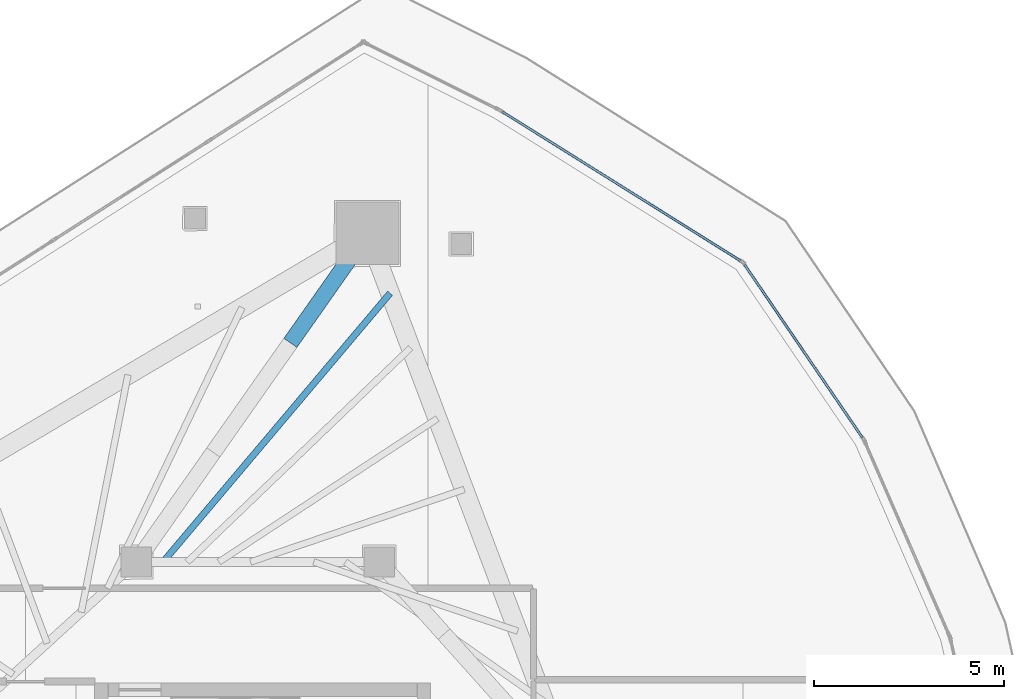
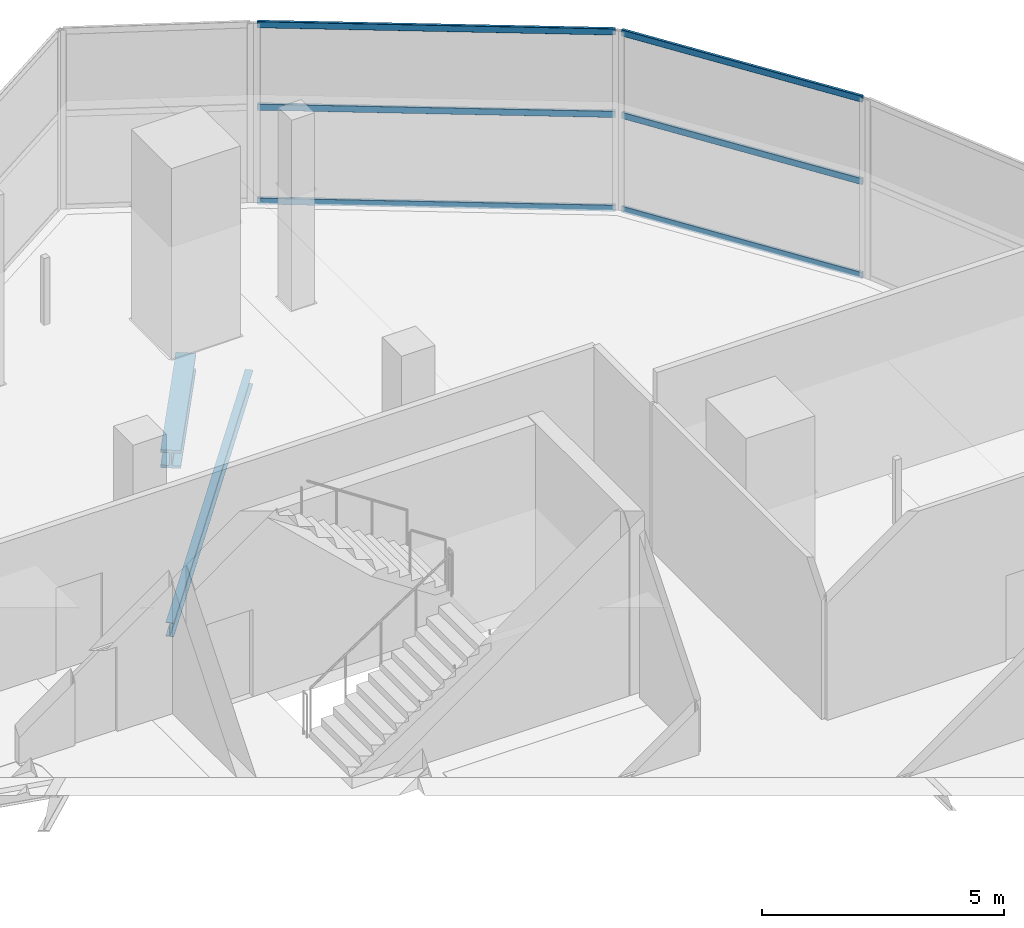
# One storey, part 21 of 36: 7 members, 1 beam, 2 elements without a shape of their own.
"""IFC4 building model written with IfcOpenShell, lengths in metres."""

import ifcopenshell
import ifcopenshell.guid

model = None  # the IFC model being written
_history = None  # IfcOwnerHistory: only IFC2X3 demands one
_inside = {}  # id of a spatial element -> (the spatial element, [elements in it])
_under = {}  # id of a project, library or spatial element -> (it, [spatial elements below it])
_declared = {}  # id of a project -> (the project, [libraries it declares])
_typed = {}  # id of a type object -> (the type object, [elements of that type])
_made_of = {}  # id of a material, layer set ... -> (it, [elements and type objects made of it])


def new_model(schema):
    """Start an empty IFC model of exactly this schema.

    Asked for "IFC4X3", IfcOpenShell would pick the latest addendum, in which some entities
    have other attributes; the version numbers below select the first issue.
    IFC2X3 requires an IfcOwnerHistory on every rooted entity: one is made here for all.
    """
    global model, _history
    if schema == "IFC4X3":
        model = ifcopenshell.file(schema_version=(4, 3, 0, 0))
    else:
        model = ifcopenshell.file(schema=schema)
    _inside.clear()
    _under.clear()
    _declared.clear()
    _typed.clear()
    _made_of.clear()
    _history = None
    if model.schema == "IFC2X3":
        org = make("IfcOrganization", Name="unknown")
        user = make(
            "IfcPersonAndOrganization",
            ThePerson=make("IfcPerson", FamilyName="unknown"),
            TheOrganization=org,
        )
        app = make(
            "IfcApplication",
            ApplicationDeveloper=org,
            Version="unknown",
            ApplicationFullName="unknown",
            ApplicationIdentifier="unknown",
        )
        _history = make(
            "IfcOwnerHistory",
            OwningUser=user,
            OwningApplication=app,
            ChangeAction="ADDED",
            CreationDate=0,
        )
    return model


def make(cls, **values):
    """One entity of the class cls with the attributes given. An attribute that is None is left unset."""
    return model.create_entity(
        cls, **{name: value for name, value in values.items() if value is not None}
    )


def rooted(cls, **values):
    """An entity with a GlobalId (a new one), such as an element, a storey or a relation."""
    return make(cls, GlobalId=ifcopenshell.guid.new(), OwnerHistory=_history, **values)


def si_unit(unit_type, name, prefix=None):
    """IfcSIUnit, for example si_unit("LENGTHUNIT", "METRE", prefix="MILLI")."""
    return make("IfcSIUnit", UnitType=unit_type, Prefix=prefix, Name=name)


def assignment(units):
    """IfcUnitAssignment: the units of a project."""
    return None if units is None else make("IfcUnitAssignment", Units=units)


def point(xyz):
    """IfcCartesianPoint."""
    return None if xyz is None else make("IfcCartesianPoint", Coordinates=xyz)


def direction(xyz):
    """IfcDirection."""
    return None if xyz is None else make("IfcDirection", DirectionRatios=xyz)


def frame(location, z_axis=None, x_axis=None):
    """IfcAxis2Placement3D, a coordinate frame: its origin and axes. An axis left out is left unset."""
    return make(
        "IfcAxis2Placement3D",
        Location=point(location),
        Axis=direction(z_axis),
        RefDirection=direction(x_axis),
    )


def frame_2d(location, x_axis=None):
    """IfcAxis2Placement2D, a coordinate frame in the plane: its origin and x axis."""
    return make(
        "IfcAxis2Placement2D", Location=point(location), RefDirection=direction(x_axis)
    )


def origin():
    """The frame at (0, 0, 0) with its axes left unset."""
    return frame((0.0, 0.0, 0.0))


def origin_2d():
    """The frame at (0, 0) in the plane with its x axis left unset."""
    return frame_2d((0.0, 0.0))


def place(relative_to, where):
    """IfcLocalPlacement: puts the frame where relative to a parent placement (None: the world)."""
    return make(
        "IfcLocalPlacement", PlacementRelTo=relative_to, RelativePlacement=where
    )


def context(
    kind, dimensions, precision=None, world=None, true_north=None, identifier=None
):
    """IfcGeometricRepresentationContext, for example the 3D "Model" context."""
    return make(
        "IfcGeometricRepresentationContext",
        ContextIdentifier=identifier,
        ContextType=kind,
        CoordinateSpaceDimension=dimensions,
        Precision=precision,
        WorldCoordinateSystem=world,
        TrueNorth=true_north,
    )


def subcontext(parent, identifier, kind, view, scale=None):
    """IfcGeometricRepresentationSubContext, for example "Body" below "Model"."""
    return make(
        "IfcGeometricRepresentationSubContext",
        ContextIdentifier=identifier,
        ContextType=kind,
        ParentContext=parent,
        TargetScale=scale,
        TargetView=view,
    )


def project(units=None, contexts=None):
    """IfcProject with its units and contexts."""
    return rooted(
        "IfcProject",
        Name="project",
        RepresentationContexts=contexts,
        UnitsInContext=assignment(units),
    )


def spatial(cls, under=None, at=None, **own):
    """A site, building, storey or space (cls), placed at a placement, below another one or the project."""
    s = rooted(cls, ObjectPlacement=at, **own)
    if under is not None:
        _under.setdefault(under.id(), (under, []))[1].append(s)
    return s


def profile(cls, at=None, kind="AREA", **sizes):
    """A parametric profile (cls). Its sizes go by their IFC names, for example OverallWidth=200.0."""
    return make(cls, ProfileType=kind, Position=at, **sizes)


def hollow_rectangle(**sizes):
    """IfcRectangleHollowProfileDef."""
    return profile("IfcRectangleHollowProfileDef", **sizes)


def i_section(**sizes):
    """IfcIShapeProfileDef."""
    return profile("IfcIShapeProfileDef", **sizes)


def extrude(swept, where, along, depth):
    """IfcExtrudedAreaSolid: the profile swept, set in the frame where, extruded along a direction by depth."""
    return make(
        "IfcExtrudedAreaSolid",
        SweptArea=swept,
        Position=where,
        ExtrudedDirection=direction(along),
        Depth=depth,
    )


def shape(context_of_items, identifier, shape_type, items):
    """IfcShapeRepresentation: the items that make up one representation, for example the "Body"."""
    return make(
        "IfcShapeRepresentation",
        ContextOfItems=context_of_items,
        RepresentationIdentifier=identifier,
        RepresentationType=shape_type,
        Items=items,
    )


def material(Name=None, Category=None):
    """IfcMaterial."""
    return make("IfcMaterial", Name=Name, Category=Category)


def layer(
    of_material, thickness, ventilated=None, Name=None, Category=None, Priority=None
):
    """IfcMaterialLayer: one layer of a wall or slab, of a material (None: an air gap)."""
    return make(
        "IfcMaterialLayer",
        Material=of_material,
        LayerThickness=thickness,
        IsVentilated=ventilated,
        Name=Name,
        Category=Category,
        Priority=Priority,
    )


def layer_set(layers, Name=None):
    """IfcMaterialLayerSet."""
    return make("IfcMaterialLayerSet", MaterialLayers=layers, LayerSetName=Name)


def material_profile(
    of_material, cross_section, Name=None, Category=None, Priority=None
):
    """IfcMaterialProfile: a cross section and its material."""
    return make(
        "IfcMaterialProfile",
        Name=Name,
        Material=of_material,
        Profile=cross_section,
        Priority=Priority,
        Category=Category,
    )


def profile_set(profiles, Name=None, composite=None):
    """IfcMaterialProfileSet."""
    return make(
        "IfcMaterialProfileSet",
        Name=Name,
        MaterialProfiles=profiles,
        CompositeProfile=composite,
    )


def made_of(thing, what):
    """Note that an element or type object is made of a material, layer set ...; save() writes the relation."""
    if what is not None:
        _made_of.setdefault(what.id(), (what, []))[1].append(thing)
    return thing


def type_object(cls, material=None, **own):
    """A type object (cls), such as IfcWallType, which elements share."""
    return made_of(rooted(cls, **own), material)


def element(
    cls,
    number,
    at=None,
    inside=None,
    cuts=None,
    type_object=None,
    material=None,
    context=None,
    identifier="Body",
    shape_type=None,
    held_by="IfcProductDefinitionShape",
    body=None,
    shapes=None,
    **own,
):
    """One element of the class cls, such as IfcWall. Its Tag is "e" and its number.

    at: its placement. inside: the storey or other place that contains it. cuts: it is an
    opening in that element (IfcRelVoidsElement). A single representation is given by context,
    identifier, shape_type and body (its items); several are given by shapes. held_by: the class
    of the entity that holds the representations. save() writes the other relations.
    """
    e = rooted(cls, Tag="e%d" % number, ObjectPlacement=at, **own)
    if body is not None:
        shapes = [shape(context, identifier, shape_type, body)]
    if shapes is not None:
        e.Representation = make(held_by, Representations=shapes)
    if inside is not None:
        _inside.setdefault(inside.id(), (inside, []))[1].append(e)
    if cuts is not None:
        rooted(
            "IfcRelVoidsElement", RelatingBuildingElement=cuts, RelatedOpeningElement=e
        )
    if type_object is not None:
        _typed.setdefault(type_object.id(), (type_object, []))[1].append(e)
    return made_of(e, material)


def aggregate(whole, parts):
    """IfcRelAggregates: a whole, such as a stair, and the parts it consists of."""
    return rooted("IfcRelAggregates", RelatingObject=whole, RelatedObjects=parts)


def save(model, path):
    """Write the relations noted so far, then the file.

    IfcRelAggregates (storeys below a building ...), IfcRelContainedInSpatialStructure (elements
    in a storey), IfcRelDefinesByType, IfcRelAssociatesMaterial and IfcRelDeclares: one each for
    every whole, place, type object, material and project.
    """
    for whole, parts in _under.values():
        aggregate(whole, parts)
    for where, things in _inside.values():
        rooted(
            "IfcRelContainedInSpatialStructure",
            RelatedElements=things,
            RelatingStructure=where,
        )
    for kind, things in _typed.values():
        rooted("IfcRelDefinesByType", RelatedObjects=things, RelatingType=kind)
    for what, things in _made_of.values():
        rooted("IfcRelAssociatesMaterial", RelatedObjects=things, RelatingMaterial=what)
    for by, libraries in _declared.values():
        rooted("IfcRelDeclares", RelatingContext=by, RelatedDefinitions=libraries)
    model.write(path)


model = new_model("IFC4")

# Units and contexts
model_context = context("Model", 3, precision=1e-05, world=origin(), true_north=direction((0.0, 1.0)))
body_context = subcontext(model_context, "Body", "Model", "MODEL_VIEW")
ifc_project = project(units=[si_unit("LENGTHUNIT", "METRE"), si_unit("AREAUNIT", "SQUARE_METRE"), si_unit("VOLUMEUNIT", "CUBIC_METRE"), si_unit("PLANEANGLEUNIT", "RADIAN"), si_unit("MASSUNIT", "GRAM", prefix="KILO")], contexts=[model_context])

# Site, building, storey
site_placement = place(None, origin())
site = spatial("IfcSite", under=ifc_project, at=site_placement, CompositionType="ELEMENT")
building_placement = place(site_placement, origin())
building = spatial("IfcBuilding", under=site, at=building_placement, Name="Qorvath Tower", CompositionType="ELEMENT")
storey_placement = place(building_placement, frame((0.0, 0.0, 255.0)))
storey = spatial("IfcBuildingStorey", under=building, at=storey_placement, Name="L59", CompositionType="ELEMENT", Elevation=255.0)

# Beam
ifc_material_1 = material(Name="Steel ASTM A992 Grade 50", Category="steel")
ifc_material_profile_1 = material_profile(ifc_material_1, i_section(OverallWidth=0.1708984375, OverallDepth=0.35107421875, WebThickness=0.0068359375, FlangeThickness=0.009765625, FilletRadius=0.010009765625, at=origin_2d()), Name="W14x30")
ifc_profile_set_1 = profile_set([ifc_material_profile_1], Name="Steel ASTM A992 Grade 50")
beam_type = type_object("IfcBeamType", Name="BM-FJ4", PredefinedType="JOIST", material=ifc_profile_set_1)
beam_placement = place(storey_placement, frame((-22.89599609375, 11.449951171875, -0.4755859375), z_axis=(0.645381885676, 0.763860079885, 0.0), x_axis=(-0.763860079885, 0.645381885676, 0.0)))
element("IfcBeam", 1, at=beam_placement, inside=storey, type_object=beam_type, Name="Composite Floor Joist NE7 L59", PredefinedType="JOIST", context=body_context, shape_type="SweptSolid", body=[
    extrude(i_section(OverallWidth=0.1708984375, OverallDepth=0.35107421875, WebThickness=0.0068359375, FlangeThickness=0.009765625, FilletRadius=0.010009765625, at=origin_2d()), origin(), (0.0, 0.0, 1.0), 9.260498046875),
])

# Curtain wall, members
ifc_material_2 = material(Name="Anodised aluminium and triple low-E glass", Category="aluminium")
ifc_layer = layer(ifc_material_2, 0.179931640625)
ifc_layer_set = layer_set([ifc_layer], Name="CW-SYS-5")
curtain_wall_type = type_object("IfcCurtainWallType", Name="CW-SYS-5", PredefinedType="NOTDEFINED", material=ifc_layer_set)
curtain_wall_1_placement = place(storey_placement, origin())
curtain_wall_1 = element("IfcCurtainWall", 2, at=curtain_wall_1_placement, inside=storey, type_object=curtain_wall_type, Name="Curtain Wall CW-5 CW-T-L59-13.1", PredefinedType="NOTDEFINED")
ifc_material_3 = material(Name="Anodised aluminium 6063-T6", Category="aluminium")
ifc_material_profile_2 = material_profile(ifc_material_3, hollow_rectangle(XDim=0.06494140625, YDim=0.159912109375, WallThickness=0.00341796875, InnerFilletRadius=0.00341796875, OuterFilletRadius=0.007080078125, at=origin_2d()), Name="CWT 160x65")
ifc_profile_set_2 = profile_set([ifc_material_profile_2], Name="Anodised aluminium 6063-T6")
member_type_1 = type_object("IfcMemberType", Name="CWT-160", PredefinedType="USERDEFINED", material=ifc_profile_set_2)
member_1_placement = place(storey_placement, frame((-4.485107421875, 14.722900390625, 0.032470703125), z_axis=(-0.5631168418, 0.826377288218, 0.0), x_axis=(-0.826377288218, -0.5631168418, 0.0)))
member_1 = element("IfcMember", 3, at=member_1_placement, type_object=member_type_1, Name="CW-5 transom 1.1", ObjectType="TRANSOM", PredefinedType="USERDEFINED", context=body_context, shape_type="SweptSolid", body=[
    extrude(hollow_rectangle(XDim=0.06494140625, YDim=0.159912109375, WallThickness=0.00341796875, InnerFilletRadius=0.00341796875, OuterFilletRadius=0.007080078125, at=origin_2d()), origin(), (0.0, 0.0, 1.0), 5.510498046875),
])
member_2_placement = place(storey_placement, frame((-4.485107421875, 14.722900390625, 2.39990234375), z_axis=(-0.5631168418, 0.826377288218, 0.0), x_axis=(-0.826377288218, -0.5631168418, 0.0)))
member_2 = element("IfcMember", 4, at=member_2_placement, type_object=member_type_1, Name="CW-5 transom 1.2", ObjectType="TRANSOM", PredefinedType="USERDEFINED", context=body_context, shape_type="SweptSolid", body=[
    extrude(hollow_rectangle(XDim=0.06494140625, YDim=0.159912109375, WallThickness=0.00341796875, InnerFilletRadius=0.00341796875, OuterFilletRadius=0.007080078125, at=origin_2d()), origin(), (0.0, 0.0, 1.0), 5.510498046875),
])
member_3_placement = place(storey_placement, frame((-4.485107421875, 14.722900390625, 4.4775390625), z_axis=(-0.5631168418, 0.826377288218, 0.0), x_axis=(-0.826377288218, -0.5631168418, 0.0)))
member_3 = element("IfcMember", 5, at=member_3_placement, type_object=member_type_1, Name="CW-5 transom 1.3", ObjectType="TRANSOM", PredefinedType="USERDEFINED", context=body_context, shape_type="SweptSolid", body=[
    extrude(hollow_rectangle(XDim=0.06494140625, YDim=0.159912109375, WallThickness=0.00341796875, InnerFilletRadius=0.00341796875, OuterFilletRadius=0.007080078125, at=origin_2d()), origin(), (0.0, 0.0, 1.0), 5.510498046875),
])
aggregate(curtain_wall_1, [member_1, member_2, member_3])

curtain_wall_2_placement = place(storey_placement, origin())
curtain_wall_2 = element("IfcCurtainWall", 6, at=curtain_wall_2_placement, inside=storey, type_object=curtain_wall_type, Name="Curtain Wall CW-5 CW-T-L59-14.1", PredefinedType="NOTDEFINED")
member_4_placement = place(storey_placement, frame((-7.694091796875, 19.37841796875, 0.032470703125), z_axis=(-0.847710828691, 0.530458623193, 0.0), x_axis=(-0.530458623193, -0.847710828691, 0.0)))
member_4 = element("IfcMember", 7, at=member_4_placement, type_object=member_type_1, Name="CW-5 transom 1.1", ObjectType="TRANSOM", PredefinedType="USERDEFINED", context=body_context, shape_type="SweptSolid", body=[
    extrude(hollow_rectangle(XDim=0.06494140625, YDim=0.159912109375, WallThickness=0.00341796875, InnerFilletRadius=0.00341796875, OuterFilletRadius=0.007080078125, at=origin_2d()), origin(), (0.0, 0.0, 1.0), 7.3984375),
])
member_5_placement = place(storey_placement, frame((-7.694091796875, 19.37841796875, 2.39990234375), z_axis=(-0.847710828691, 0.530458623193, 0.0), x_axis=(-0.530458623193, -0.847710828691, 0.0)))
member_5 = element("IfcMember", 8, at=member_5_placement, type_object=member_type_1, Name="CW-5 transom 1.2", ObjectType="TRANSOM", PredefinedType="USERDEFINED", context=body_context, shape_type="SweptSolid", body=[
    extrude(hollow_rectangle(XDim=0.06494140625, YDim=0.159912109375, WallThickness=0.00341796875, InnerFilletRadius=0.00341796875, OuterFilletRadius=0.007080078125, at=origin_2d()), origin(), (0.0, 0.0, 1.0), 7.3984375),
])
member_6_placement = place(storey_placement, frame((-7.694091796875, 19.37841796875, 4.4775390625), z_axis=(-0.847710828691, 0.530458623193, 0.0), x_axis=(-0.530458623193, -0.847710828691, 0.0)))
member_6 = element("IfcMember", 9, at=member_6_placement, type_object=member_type_1, Name="CW-5 transom 1.3", ObjectType="TRANSOM", PredefinedType="USERDEFINED", context=body_context, shape_type="SweptSolid", body=[
    extrude(hollow_rectangle(XDim=0.06494140625, YDim=0.159912109375, WallThickness=0.00341796875, InnerFilletRadius=0.00341796875, OuterFilletRadius=0.007080078125, at=origin_2d()), origin(), (0.0, 0.0, 1.0), 7.3984375),
])
aggregate(curtain_wall_2, [member_4, member_5, member_6])

# Member
ifc_material_4 = material(Name="Steel ASTM A913 Grade 65", Category="steel")
ifc_material_profile_3 = material_profile(ifc_material_4, i_section(OverallWidth=0.4189453125, OverallDepth=0.455078125, WebThickness=0.0419921875, FlangeThickness=0.067626953125, FilletRadius=0.02490234375, at=origin_2d()), Name="W14x370")
ifc_profile_set_3 = profile_set([ifc_material_profile_3], Name="Steel ASTM A913 Grade 65")
member_type_2 = type_object("IfcMemberType", Name="MEM-OT2", PredefinedType="CHORD", material=ifc_profile_set_3)
member_7_placement = place(storey_placement, frame((-19.543701171875, 17.2177734375, -0.85009765625), z_axis=(0.575301278452, 0.817941586552, 0.0), x_axis=(-0.817941586552, 0.575301278452, 0.0)))
element("IfcMember", 10, at=member_7_placement, inside=storey, type_object=member_type_2, Name="Outrigger and Belt Truss Top Chord OB3-1.3", PredefinedType="CHORD", context=body_context, shape_type="SweptSolid", body=[
    extrude(i_section(OverallWidth=0.4189453125, OverallDepth=0.455078125, WebThickness=0.0419921875, FlangeThickness=0.067626953125, FilletRadius=0.02490234375, at=origin_2d()), origin(), (0.0, 0.0, 1.0), 3.525634765625),
])

save(model, "model.ifc")
